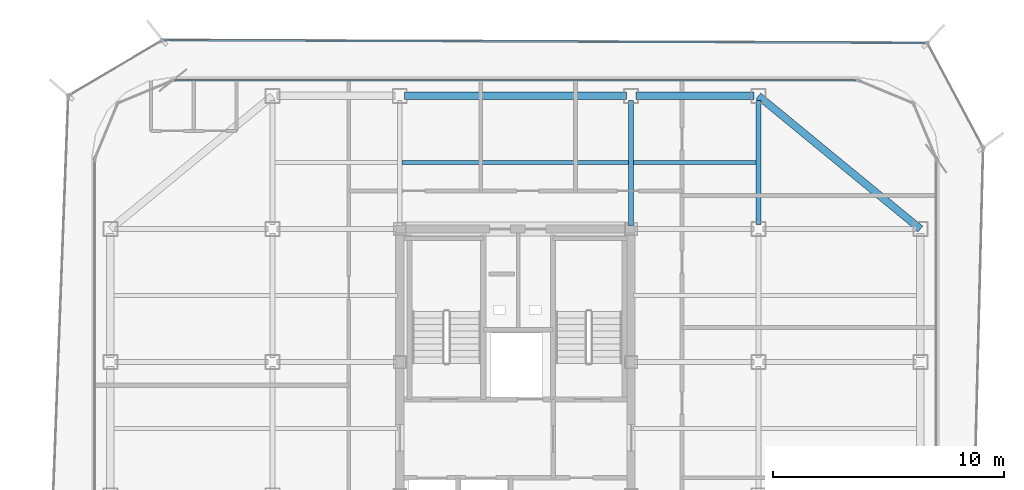
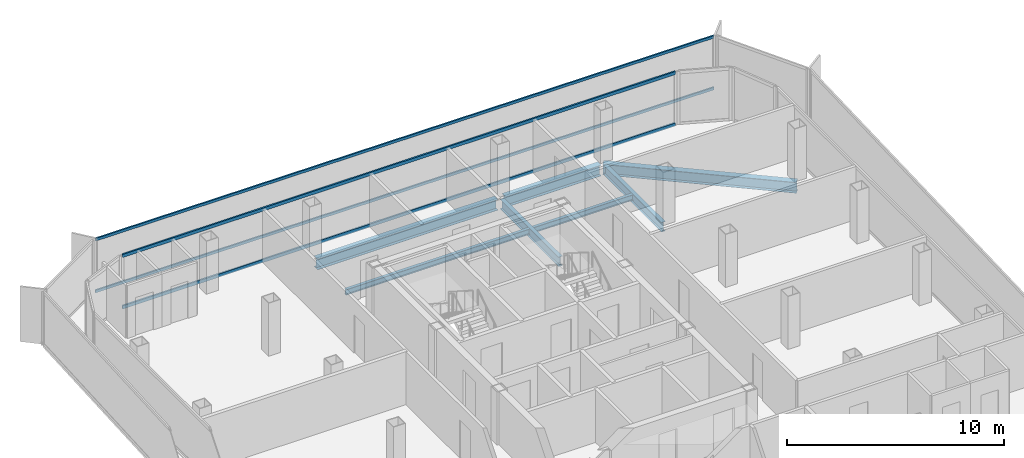
# One storey, part 7 of 15: 7 beams, 4 members, 2 elements without a shape of their own.
"""IFC4 building model written with IfcOpenShell, lengths in metres."""

from ifc_helpers import new_model, si_unit, direction, frame, origin, origin_2d, place, context, subcontext, project, spatial, hollow_rectangle, i_section, extrude, source, transform, mapped, material, layer, layer_set, material_profile, profile_set, type_object, element, aggregate, save


model = new_model("IFC4")

# Units and contexts
model_context = context("Model", 3, precision=1e-05, world=origin(), true_north=direction((0.0, 1.0)))
body_context = subcontext(model_context, "Body", "Model", "MODEL_VIEW")
ifc_project = project(units=[si_unit("LENGTHUNIT", "METRE"), si_unit("AREAUNIT", "SQUARE_METRE"), si_unit("VOLUMEUNIT", "CUBIC_METRE"), si_unit("PLANEANGLEUNIT", "RADIAN"), si_unit("MASSUNIT", "GRAM", prefix="KILO")], contexts=[model_context])

# Site, building, storey
site_placement = place(None, origin())
site = spatial("IfcSite", under=ifc_project, at=site_placement, CompositionType="ELEMENT")
building_placement = place(site_placement, origin())
building = spatial("IfcBuilding", under=site, at=building_placement, Name="Kolveth Station Tower", CompositionType="ELEMENT")
storey_placement = place(building_placement, frame((0.0, 0.0, 220.10009765625)))
storey = spatial("IfcBuildingStorey", under=building, at=storey_placement, Name="L62", CompositionType="ELEMENT", Elevation=220.10009765625)

# Beams
ifc_material_1 = material(Name="Steel S355", Category="steel")
ifc_material_profile_1 = material_profile(ifc_material_1, i_section(OverallWidth=0.323974609375, OverallDepth=0.611083984375, WebThickness=0.0126953125, FlangeThickness=0.01904296875, at=origin_2d()), Name="W610x155")
ifc_profile_set_1 = profile_set([ifc_material_profile_1], Name="Steel S355")
beam_type_1 = type_object("IfcBeamType", Name="Beam_SP2", PredefinedType="SPANDREL", material=ifc_profile_set_1)
shared_shape_1 = source(origin(), body_context, "Body", "SweptSolid", [
    extrude(i_section(OverallWidth=0.323974609375, OverallDepth=0.611083984375, WebThickness=0.0126953125, FlangeThickness=0.01904296875, at=origin_2d()), origin(), (0.0, 0.0, 1.0), 9.058837890625),
])
beam_1_placement = place(storey_placement, frame((41.0, 28.75, -0.525634765625), z_axis=(-0.772726254525, 0.63473942336, 0.0), x_axis=(-0.63473942336, -0.772726254525, 0.0)))
element("IfcBeam", 1, at=beam_1_placement, inside=storey, type_object=beam_type_1, Name="L62 Corner Edge Girder BM-L62-CNR-NE", PredefinedType="SPANDREL", context=body_context, shape_type="MappedRepresentation", body=[
    mapped(shared_shape_1, transform((0.0, 0.0, 0.0), x_axis=(1.0, 0.0, 0.0), y_axis=(0.0, 1.0, 0.0), z_axis=(0.0, 0.0, 1.0), scale=1.0)),
])
shared_shape_2 = source(origin(), body_context, "Body", "SweptSolid", [
    extrude(i_section(OverallWidth=0.323974609375, OverallDepth=0.611083984375, WebThickness=0.0126953125, FlangeThickness=0.01904296875, at=origin_2d()), origin(), (0.0, 0.0, 1.0), 5.10009765625),
])
beam_2_placement = place(storey_placement, frame((28.699951171875, 34.5, -0.525634765625), z_axis=(1.0, 0.0, 0.0), x_axis=(0.0, 1.0, 0.0)))
element("IfcBeam", 2, at=beam_2_placement, inside=storey, type_object=beam_type_1, Name="L62 Perimeter Spandrel BM-L62-PN-3", PredefinedType="SPANDREL", context=body_context, shape_type="MappedRepresentation", body=[
    mapped(shared_shape_2, transform((0.0, 0.0, 0.0), x_axis=(1.0, 0.0, 0.0), y_axis=(0.0, 1.0, 0.0), z_axis=(0.0, 0.0, 1.0), scale=1.0)),
])
shared_shape_3 = source(origin(), body_context, "Body", "SweptSolid", [
    extrude(i_section(OverallWidth=0.323974609375, OverallDepth=0.611083984375, WebThickness=0.0126953125, FlangeThickness=0.01904296875, at=origin_2d()), origin(), (0.0, 0.0, 1.0), 9.60009765625),
])
beam_3_placement = place(storey_placement, frame((18.699951171875, 34.5, -0.525634765625), z_axis=(1.0, 0.0, 0.0), x_axis=(0.0, 1.0, 0.0)))
element("IfcBeam", 3, at=beam_3_placement, inside=storey, type_object=beam_type_1, Name="L62 Perimeter Spandrel BM-L62-PN-2", PredefinedType="SPANDREL", context=body_context, shape_type="MappedRepresentation", body=[
    mapped(shared_shape_3, transform((0.0, 0.0, 0.0), x_axis=(1.0, 0.0, 0.0), y_axis=(0.0, 1.0, 0.0), z_axis=(0.0, 0.0, 1.0), scale=1.0)),
])
ifc_material_profile_2 = material_profile(ifc_material_1, i_section(OverallWidth=0.2099609375, OverallDepth=0.537109375, WebThickness=0.010986328125, FlangeThickness=0.017333984375, at=origin_2d()), Name="W530x101")
ifc_profile_set_2 = profile_set([ifc_material_profile_2], Name="Steel S355")
beam_type_2 = type_object("IfcBeamType", Name="Beam_B6", PredefinedType="BEAM", material=ifc_profile_set_2)
shared_shape_4 = source(origin(), body_context, "Body", "SweptSolid", [
    extrude(i_section(OverallWidth=0.2099609375, OverallDepth=0.537109375, WebThickness=0.010986328125, FlangeThickness=0.017333984375, at=origin_2d()), origin(), (0.0, 0.0, 1.0), 5.35009765625),
])
beam_4_placement = place(storey_placement, frame((34.0, 28.949951171875, -0.488525390625), z_axis=(0.0, 1.0, 0.0), x_axis=(-1.0, 0.0, 0.0)))
element("IfcBeam", 4, at=beam_4_placement, inside=storey, type_object=beam_type_2, Name="L62 Primary Girder BM-L62-GX340-6", PredefinedType="BEAM", context=body_context, shape_type="MappedRepresentation", body=[
    mapped(shared_shape_4, transform((0.0, 0.0, 0.0), x_axis=(1.0, 0.0, 0.0), y_axis=(0.0, 1.0, 0.0), z_axis=(0.0, 0.0, 1.0), scale=1.0)),
])
shared_shape_5 = source(origin(), body_context, "Body", "SweptSolid", [
    extrude(i_section(OverallWidth=0.2099609375, OverallDepth=0.537109375, WebThickness=0.010986328125, FlangeThickness=0.017333984375, at=origin_2d()), origin(), (0.0, 0.0, 1.0), 5.39013671875),
])
beam_5_placement = place(storey_placement, frame((28.5, 28.909912109375, -0.488525390625), z_axis=(0.0, 1.0, 0.0), x_axis=(-1.0, 0.0, 0.0)))
element("IfcBeam", 5, at=beam_5_placement, inside=storey, type_object=beam_type_2, Name="L62 Primary Girder BM-L62-GX285-6", PredefinedType="BEAM", context=body_context, shape_type="MappedRepresentation", body=[
    mapped(shared_shape_5, transform((0.0, 0.0, 0.0), x_axis=(1.0, 0.0, 0.0), y_axis=(0.0, 1.0, 0.0), z_axis=(0.0, 0.0, 1.0), scale=1.0)),
])
ifc_material_profile_3 = material_profile(ifc_material_1, i_section(OverallWidth=0.1650390625, OverallDepth=0.31005859375, WebThickness=0.005859375, FlangeThickness=0.009765625, at=origin_2d()), Name="W310x39")
ifc_profile_set_3 = profile_set([ifc_material_profile_3], Name="Steel S355")
beam_type_3 = type_object("IfcBeamType", Name="Beam_J3", PredefinedType="JOIST", material=ifc_profile_set_3)
shared_shape_6 = source(origin(), body_context, "Body", "SweptSolid", [
    extrude(i_section(OverallWidth=0.1650390625, OverallDepth=0.31005859375, WebThickness=0.005859375, FlangeThickness=0.009765625, at=origin_2d()), origin(), (0.0, 0.0, 1.0), 5.2939453125),
])
beam_6_placement = place(storey_placement, frame((28.60302734375, 31.625, -0.375), z_axis=(1.0, 0.0, 0.0), x_axis=(0.0, 1.0, 0.0)))
element("IfcBeam", 6, at=beam_6_placement, inside=storey, type_object=beam_type_3, Name="L62 Secondary Joist JST-L62-4-6", PredefinedType="JOIST", context=body_context, shape_type="MappedRepresentation", body=[
    mapped(shared_shape_6, transform((0.0, 0.0, 0.0), x_axis=(1.0, 0.0, 0.0), y_axis=(0.0, 1.0, 0.0), z_axis=(0.0, 0.0, 1.0), scale=1.0)),
])
shared_shape_7 = source(origin(), body_context, "Body", "SweptSolid", [
    extrude(i_section(OverallWidth=0.1650390625, OverallDepth=0.31005859375, WebThickness=0.005859375, FlangeThickness=0.009765625, at=origin_2d()), origin(), (0.0, 0.0, 1.0), 9.7939453125),
])
beam_7_placement = place(storey_placement, frame((18.60302734375, 31.625, -0.375), z_axis=(1.0, 0.0, 0.0), x_axis=(0.0, 1.0, 0.0)))
element("IfcBeam", 7, at=beam_7_placement, inside=storey, type_object=beam_type_3, Name="L62 Secondary Joist JST-L62-3-6", PredefinedType="JOIST", context=body_context, shape_type="MappedRepresentation", body=[
    mapped(shared_shape_7, transform((0.0, 0.0, 0.0), x_axis=(1.0, 0.0, 0.0), y_axis=(0.0, 1.0, 0.0), z_axis=(0.0, 0.0, 1.0), scale=1.0)),
])

# Curtain wall, members
ifc_material_2 = material(Name="Aluminium 6063-T6 and triple low-E dark glass", Category="aluminium")
ifc_layer_1 = layer(ifc_material_2, 0.199951171875)
ifc_layer_set_1 = layer_set([ifc_layer_1], Name="Aluminium 6063-T6 and triple low-E dark glass")
curtain_wall_type_1 = type_object("IfcCurtainWallType", Name="CurtainWall_CW-Z3", PredefinedType="NOTDEFINED", material=ifc_layer_set_1)
curtain_wall_1_placement = place(storey_placement, origin())
curtain_wall_1 = element("IfcCurtainWall", 8, at=curtain_wall_1_placement, inside=storey, type_object=curtain_wall_type_1, Name="L62 Inner Thermal Curtain Wall 6", PredefinedType="NOTDEFINED")
ifc_material_3 = material(Name="Black anodized aluminium 6063-T6", Category="aluminium")
ifc_material_profile_4 = material_profile(ifc_material_3, hollow_rectangle(XDim=0.0849609375, YDim=0.179931640625, WallThickness=0.0048828125, at=origin_2d()), Name="ALU-85x180x5")
ifc_profile_set_4 = profile_set([ifc_material_profile_4], Name="Black anodized aluminium 6063-T6")
member_type_1 = type_object("IfcMemberType", Name="Transom_TR3", PredefinedType="USERDEFINED", material=ifc_profile_set_4)
shared_shape_8 = source(origin(), body_context, "Body", "SweptSolid", [
    extrude(hollow_rectangle(XDim=0.0849609375, YDim=0.179931640625, WallThickness=0.0048828125, at=origin_2d()), origin(), (0.0, 0.0, 1.0), 29.43017578125),
])
member_1_placement = place(storey_placement, frame((38.215087890625, 35.179931640625, 0.04248046875), z_axis=(-1.0, 0.0, 0.0), x_axis=(0.0, -1.0, 0.0)))
member_1 = element("IfcMember", 9, at=member_1_placement, type_object=member_type_1, Name="CW-Z3 transom 1.1", ObjectType="TRANSOM", PredefinedType="USERDEFINED", context=body_context, shape_type="MappedRepresentation", body=[
    mapped(shared_shape_8, transform((0.0, 0.0, 0.0), x_axis=(1.0, 0.0, 0.0), y_axis=(0.0, 1.0, 0.0), z_axis=(0.0, 0.0, 1.0), scale=1.0)),
])
member_2_placement = place(storey_placement, frame((38.215087890625, 35.179931640625, 2.9375), z_axis=(-1.0, 0.0, 0.0), x_axis=(0.0, -1.0, 0.0)))
member_2 = element("IfcMember", 10, at=member_2_placement, type_object=member_type_1, Name="CW-Z3 transom 1.2", ObjectType="TRANSOM", PredefinedType="USERDEFINED", context=body_context, shape_type="MappedRepresentation", body=[
    mapped(shared_shape_8, transform((0.0, 0.0, 0.0), x_axis=(1.0, 0.0, 0.0), y_axis=(0.0, 1.0, 0.0), z_axis=(0.0, 0.0, 1.0), scale=1.0)),
])
aggregate(curtain_wall_1, [member_1, member_2])

ifc_material_4 = material(Name="Black anodized aluminium 6063-T6 and dark solar glass", Category="aluminium")
ifc_layer_2 = layer(ifc_material_4, 0.159912109375)
ifc_layer_set_2 = layer_set([ifc_layer_2], Name="Black anodized aluminium 6063-T6 and dark solar glass")
curtain_wall_type_2 = type_object("IfcCurtainWallType", Name="OUTER SKIN CW-OS", PredefinedType="NOTDEFINED", material=ifc_layer_set_2)
curtain_wall_2_placement = place(storey_placement, origin())
curtain_wall_2 = element("IfcCurtainWall", 11, at=curtain_wall_2_placement, inside=storey, type_object=curtain_wall_type_2, Name="L62 Outer Ventilated Skin Curtain Wall 4", PredefinedType="NOTDEFINED")
ifc_material_profile_5 = material_profile(ifc_material_3, hollow_rectangle(XDim=0.080078125, YDim=0.14990234375, WallThickness=0.0048828125, at=origin_2d()), Name="ALU-80x150x5")
ifc_profile_set_5 = profile_set([ifc_material_profile_5], Name="Black anodized aluminium 6063-T6")
member_type_2 = type_object("IfcMemberType", Name="Transom_TR-OS", PredefinedType="USERDEFINED", material=ifc_profile_set_5)
shared_shape_9 = source(origin(), body_context, "Body", "SweptSolid", [
    extrude(hollow_rectangle(XDim=0.080078125, YDim=0.14990234375, WallThickness=0.0048828125, at=origin_2d()), origin(), (0.0, 0.0, 1.0), 32.86279296875),
])
member_3_placement = place(storey_placement, frame((41.20751953125, 36.791259765625, 0.039794921875), z_axis=(-0.999993292864, 0.00366254369, 0.0), x_axis=(-0.00366254369, -0.999993292864, 0.0)))
member_3 = element("IfcMember", 12, at=member_3_placement, type_object=member_type_2, Name="CW-OS transom 1.1", ObjectType="TRANSOM", PredefinedType="USERDEFINED", context=body_context, shape_type="MappedRepresentation", body=[
    mapped(shared_shape_9, transform((0.0, 0.0, 0.0), x_axis=(1.0, 0.0, 0.0), y_axis=(0.0, 1.0, 0.0), z_axis=(0.0, 0.0, 1.0), scale=1.0)),
])
member_4_placement = place(storey_placement, frame((41.20751953125, 36.791259765625, 2.949951171875), z_axis=(-0.999993292864, 0.00366254369, 0.0), x_axis=(-0.00366254369, -0.999993292864, 0.0)))
member_4 = element("IfcMember", 13, at=member_4_placement, type_object=member_type_2, Name="CW-OS transom 1.2", ObjectType="TRANSOM", PredefinedType="USERDEFINED", context=body_context, shape_type="MappedRepresentation", body=[
    mapped(shared_shape_9, transform((0.0, 0.0, 0.0), x_axis=(1.0, 0.0, 0.0), y_axis=(0.0, 1.0, 0.0), z_axis=(0.0, 0.0, 1.0), scale=1.0)),
])
aggregate(curtain_wall_2, [member_3, member_4])

save(model, "model.ifc")
